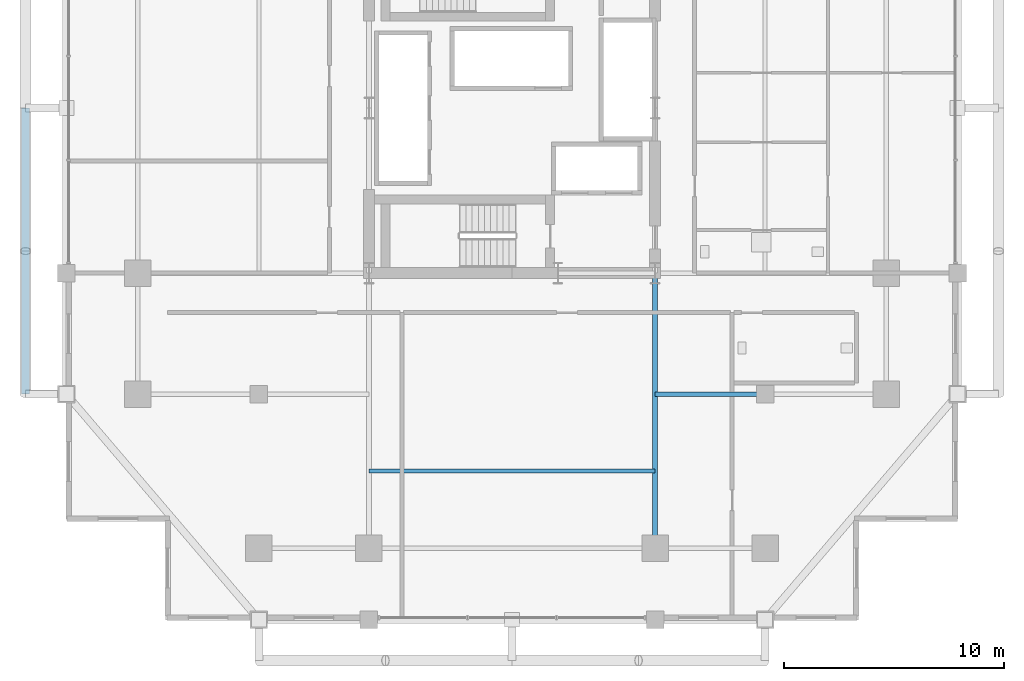
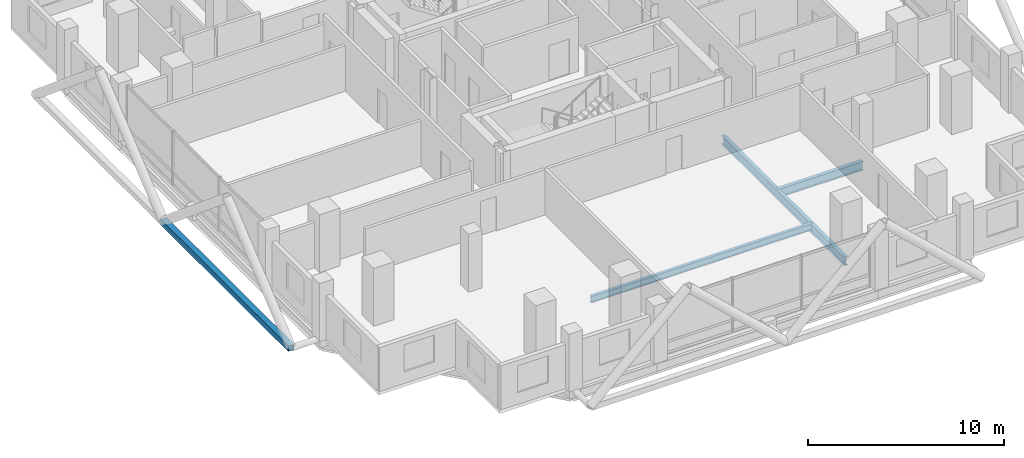
# One storey, part 4 of 24: 3 beams, 1 member.
"""IFC4 building model written with IfcOpenShell, lengths in metres."""

from ifc_helpers import new_model, si_unit, direction, frame, origin, origin_2d, place, context, subcontext, project, spatial, hollow_rectangle, i_section, extrude, material, material_profile, profile_set, type_object, element, save


model = new_model("IFC4")

# Units and contexts
model_context = context("Model", 3, precision=1e-05, world=origin(), true_north=direction((0.0, 1.0)))
body_context = subcontext(model_context, "Body", "Model", "MODEL_VIEW")
ifc_project = project(units=[si_unit("LENGTHUNIT", "METRE"), si_unit("AREAUNIT", "SQUARE_METRE"), si_unit("VOLUMEUNIT", "CUBIC_METRE"), si_unit("PLANEANGLEUNIT", "RADIAN"), si_unit("MASSUNIT", "GRAM", prefix="KILO")], contexts=[model_context])

# Site, building, storey
site_placement = place(None, origin())
site = spatial("IfcSite", under=ifc_project, at=site_placement, CompositionType="ELEMENT")
building_placement = place(site_placement, origin())
building = spatial("IfcBuilding", under=site, at=building_placement, Name="Barlavira Tower and Art Museum", CompositionType="ELEMENT")
storey_placement = place(building_placement, frame((0.0, 0.0, 109.800048828125)))
storey = spatial("IfcBuildingStorey", under=building, at=storey_placement, Name="L27", CompositionType="ELEMENT", Elevation=109.800048828125)

# Member
ifc_material = material(Name="Steel S355", Category="steel")
ifc_material_profile_1 = material_profile(ifc_material, hollow_rectangle(XDim=0.35009765625, YDim=0.35009765625, WallThickness=0.02001953125, at=origin_2d()), Name="SHS 350x350x20.0")
ifc_profile_set_1 = profile_set([ifc_material_profile_1], Name="Steel S355")
member_type = type_object("IfcMemberType", Name="Pale-Metal Exoskeleton Ring Strut SHS 350x350x20 Steel S355", PredefinedType="STRUT", material=ifc_profile_set_1)
member_placement = place(storey_placement, frame((-22.10009765625, -13.0, -0.1201171875), z_axis=(0.0, 1.0, 0.0), x_axis=(-1.0, 0.0, 0.0)))
element("IfcMember", 1, at=member_placement, inside=storey, type_object=member_type, Name="L27 Exoskeleton Ring Strut W", PredefinedType="STRUT", context=body_context, shape_type="SweptSolid", body=[
    extrude(hollow_rectangle(XDim=0.35009765625, YDim=0.35009765625, WallThickness=0.02001953125, at=origin_2d()), origin(), (0.0, 0.0, 1.0), 13.0),
])

# Beams
ifc_material_profile_2 = material_profile(ifc_material, i_section(OverallWidth=0.214111328125, OverallDepth=0.549072265625, WebThickness=0.0146484375, FlangeThickness=0.023681640625, at=origin_2d()), Name="W530x138.0")
ifc_profile_set_2 = profile_set([ifc_material_profile_2], Name="Steel S355")
beam_type_1 = type_object("IfcBeamType", Name="Zone 1 Primary Floor Girder W530x138 Steel S355", PredefinedType="BEAM", material=ifc_profile_set_2)
beam_1_placement = place(storey_placement, frame((6.5, -20.0, -0.49462890625), z_axis=(0.0, 1.0, 0.0), x_axis=(-1.0, 0.0, 0.0)))
element("IfcBeam", 2, at=beam_1_placement, inside=storey, type_object=beam_type_1, Name="L27 Girder R-S2", PredefinedType="BEAM", context=body_context, shape_type="SweptSolid", body=[
    extrude(i_section(OverallWidth=0.214111328125, OverallDepth=0.549072265625, WebThickness=0.0146484375, FlangeThickness=0.023681640625, at=origin_2d()), origin(), (0.0, 0.0, 1.0), 12.5),
])
beam_2_placement = place(storey_placement, frame((6.5, -13.0, -0.49462890625), z_axis=(1.0, 0.0, 0.0), x_axis=(0.0, 1.0, 0.0)))
element("IfcBeam", 3, at=beam_2_placement, inside=storey, type_object=beam_type_1, Name="L27 Girder I-S3", PredefinedType="BEAM", context=body_context, shape_type="SweptSolid", body=[
    extrude(i_section(OverallWidth=0.214111328125, OverallDepth=0.549072265625, WebThickness=0.0146484375, FlangeThickness=0.023681640625, at=origin_2d()), origin(), (0.0, 0.0, 1.0), 5.0),
])
ifc_material_profile_3 = material_profile(ifc_material, i_section(OverallWidth=0.179931640625, OverallDepth=0.4130859375, WebThickness=0.009765625, FlangeThickness=0.01611328125, at=origin_2d()), Name="W410x75.0")
ifc_profile_set_3 = profile_set([ifc_material_profile_3], Name="Steel S355")
beam_type_2 = type_object("IfcBeamType", Name="Zone 2 Composite Floor Joist W410x75 Steel S355", PredefinedType="JOIST", material=ifc_profile_set_3)
beam_3_placement = place(storey_placement, frame((-6.5, -16.5, -0.426513671875), z_axis=(1.0, 0.0, 0.0), x_axis=(0.0, 1.0, 0.0)))
element("IfcBeam", 4, at=beam_3_placement, inside=storey, type_object=beam_type_2, Name="L27 Joist C1", PredefinedType="JOIST", context=body_context, shape_type="SweptSolid", body=[
    extrude(i_section(OverallWidth=0.179931640625, OverallDepth=0.4130859375, WebThickness=0.009765625, FlangeThickness=0.01611328125, at=origin_2d()), origin(), (0.0, 0.0, 1.0), 13.0),
])

save(model, "model.ifc")
